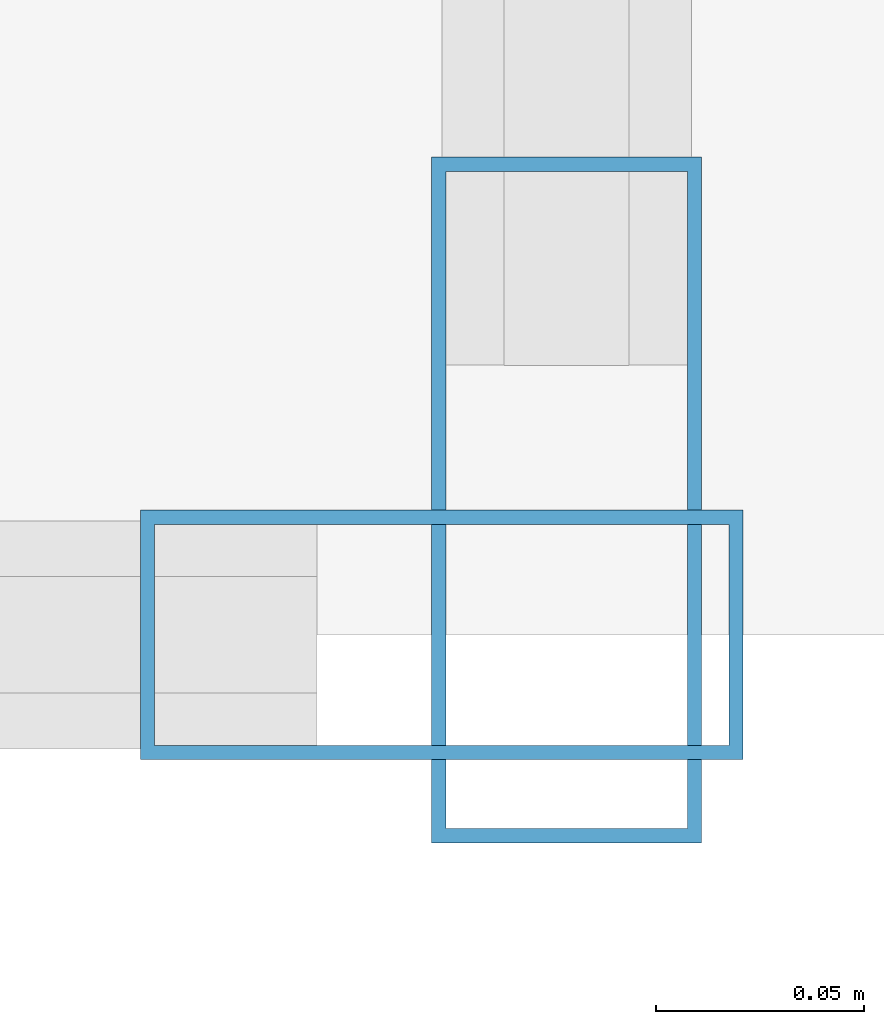
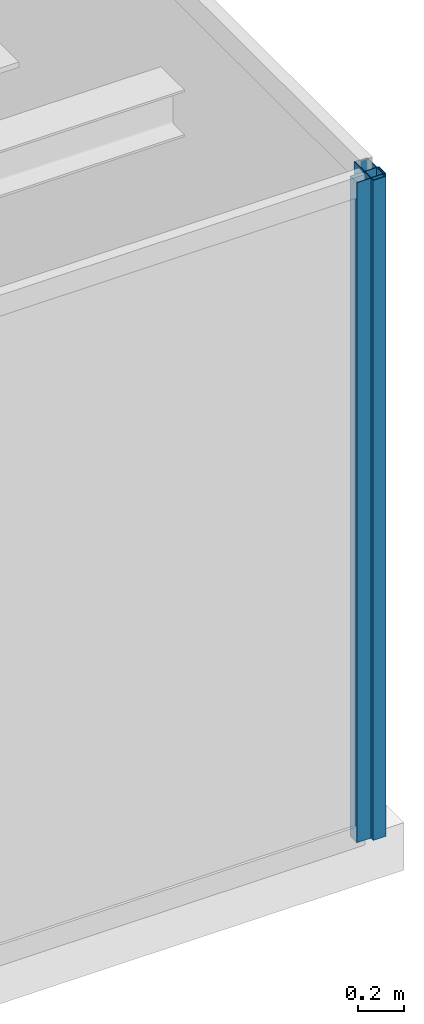
# One storey, part 17 of 28: 2 members, 2 elements without a shape of their own.
"""IFC4 building model written with IfcOpenShell, lengths in metres."""

from ifc_helpers import new_model, si_unit, direction, frame, origin, origin_2d, place, context, subcontext, project, spatial, hollow_rectangle, extrude, source, transform, mapped, material, layer, layer_set, material_profile, profile_set, type_object, type_shapes, element, aggregate, save


model = new_model("IFC4")

# Units and contexts
model_context = context("Model", 3, precision=1e-05, world=origin(), true_north=direction((0.0, 1.0)))
body_context = subcontext(model_context, "Body", "Model", "MODEL_VIEW")
ifc_project = project(units=[si_unit("LENGTHUNIT", "METRE"), si_unit("AREAUNIT", "SQUARE_METRE"), si_unit("VOLUMEUNIT", "CUBIC_METRE"), si_unit("PLANEANGLEUNIT", "RADIAN"), si_unit("MASSUNIT", "GRAM", prefix="KILO")], contexts=[model_context])

# Site, building, storey
site_placement = place(None, origin())
site = spatial("IfcSite", under=ifc_project, at=site_placement, CompositionType="ELEMENT")
building_placement = place(site_placement, origin())
building = spatial("IfcBuilding", under=site, at=building_placement, Name="Varnel Quay Broadcast Tower", CompositionType="ELEMENT")
storey_placement = place(building_placement, frame((0.0, 0.0, 230.199951171875)))
storey = spatial("IfcBuildingStorey", under=building, at=storey_placement, Name="L57", CompositionType="ELEMENT", Elevation=230.199951171875)

# Curtain wall, member
ifc_material = material(Name="Anodised Bronze Aluminium 6063-T6", Category="aluminium")
ifc_layer_1 = layer(ifc_material, 0.18994140625, Name="Anodised Bronze Aluminium 6063-T6")
ifc_layer_set_1 = layer_set([ifc_layer_1], Name="Anodised Bronze Aluminium 6063-T6")
curtain_wall_type_1 = type_object("IfcCurtainWallType", Name="CW_NotchCorner", PredefinedType="NOTDEFINED", material=ifc_layer_set_1)
curtain_wall_1_placement = place(storey_placement, origin())
curtain_wall_1 = element("IfcCurtainWall", 1, at=curtain_wall_1_placement, inside=storey, type_object=curtain_wall_type_1, Name="L57 SE Notch Curtain Wall", PredefinedType="NOTDEFINED")
ifc_material_profile_1 = material_profile(ifc_material, hollow_rectangle(XDim=0.06005859375, YDim=0.14501953125, WallThickness=0.00341796875, at=origin_2d()), Name="ALU60X145X3.5")
ifc_profile_set_1 = profile_set([ifc_material_profile_1], Name="Anodised Bronze Aluminium 6063-T6")
member_type_1 = type_object("IfcMemberType", Name="Mull_CWS-04", PredefinedType="MULLION", material=ifc_profile_set_1)
shared_shape_1 = source(origin(), body_context, "Body", "SweptSolid", [
    extrude(hollow_rectangle(XDim=0.06005859375, YDim=0.14501953125, WallThickness=0.00341796875, at=origin_2d()), origin(), (0.0, 0.0, 1.0), 3.47998046875),
])
type_shapes(member_type_1, [shared_shape_1])
member_1_placement = place(storey_placement, frame((58.320068359375, 13.60009765625, 0.0), z_axis=(0.0, 0.0, 1.0), x_axis=(0.0, 1.0, 0.0)))
member_1 = element("IfcMember", 2, at=member_1_placement, type_object=member_type_1, Name="CWS-04 mullion 2", PredefinedType="MULLION", context=body_context, shape_type="MappedRepresentation", body=[
    mapped(shared_shape_1, transform((0.0, 0.0, 0.0), x_axis=(1.0, 0.0, 0.0), y_axis=(0.0, 1.0, 0.0), z_axis=(0.0, 0.0, 1.0), scale=1.0)),
])
aggregate(curtain_wall_1, [member_1])

ifc_layer_2 = layer(ifc_material, 0.18994140625, Name="Anodised Bronze Aluminium 6063-T6")
ifc_layer_set_2 = layer_set([ifc_layer_2], Name="Anodised Bronze Aluminium 6063-T6")
curtain_wall_type_2 = type_object("IfcCurtainWallType", Name="CW_UpperTower", PredefinedType="NOTDEFINED", material=ifc_layer_set_2)
curtain_wall_2_placement = place(storey_placement, origin())
curtain_wall_2 = element("IfcCurtainWall", 3, at=curtain_wall_2_placement, inside=storey, type_object=curtain_wall_type_2, Name="L57 East Unitised Curtain Wall", PredefinedType="NOTDEFINED")
ifc_material_profile_2 = material_profile(ifc_material, hollow_rectangle(XDim=0.06494140625, YDim=0.1650390625, WallThickness=0.00341796875, at=origin_2d()), Name="ALU65X165X3.5")
ifc_profile_set_2 = profile_set([ifc_material_profile_2], Name="Anodised Bronze Aluminium 6063-T6")
member_type_2 = type_object("IfcMemberType", Name="Mull_CWS-03", PredefinedType="MULLION", material=ifc_profile_set_2)
shared_shape_2 = source(origin(), body_context, "Body", "SweptSolid", [
    extrude(hollow_rectangle(XDim=0.06494140625, YDim=0.1650390625, WallThickness=0.00341796875, at=origin_2d()), origin(), (0.0, 0.0, 1.0), 3.47998046875),
])
type_shapes(member_type_2, [shared_shape_2])
member_2_placement = place(storey_placement, frame((58.35009765625, 13.632568359375, 0.0), z_axis=(0.0, 0.0, 1.0), x_axis=(-1.0, 0.0, 0.0)))
member_2 = element("IfcMember", 4, at=member_2_placement, type_object=member_type_2, Name="CWS-03 mullion 1", PredefinedType="MULLION", context=body_context, shape_type="MappedRepresentation", body=[
    mapped(shared_shape_2, transform((0.0, 0.0, 0.0), x_axis=(1.0, 0.0, 0.0), y_axis=(0.0, 1.0, 0.0), z_axis=(0.0, 0.0, 1.0), scale=1.0)),
])
aggregate(curtain_wall_2, [member_2])

save(model, "model.ifc")
